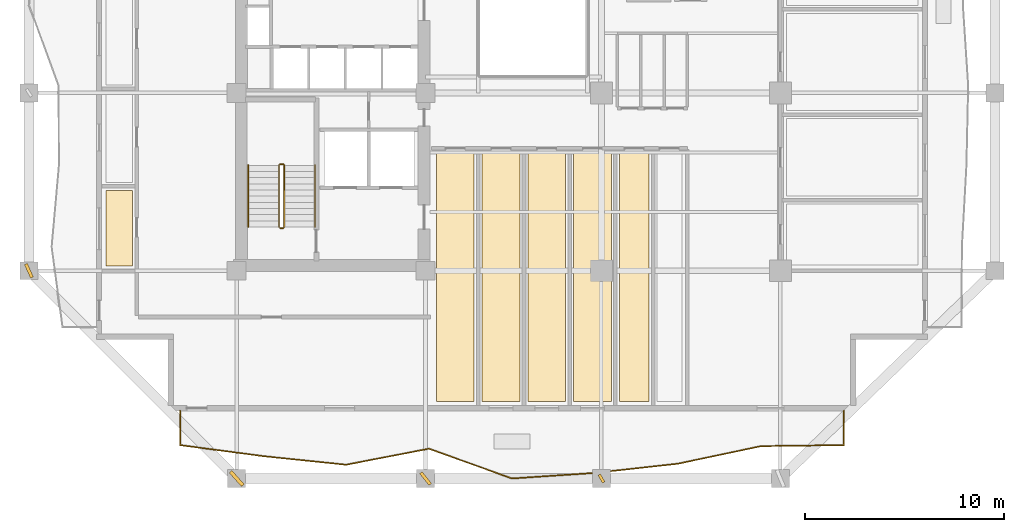
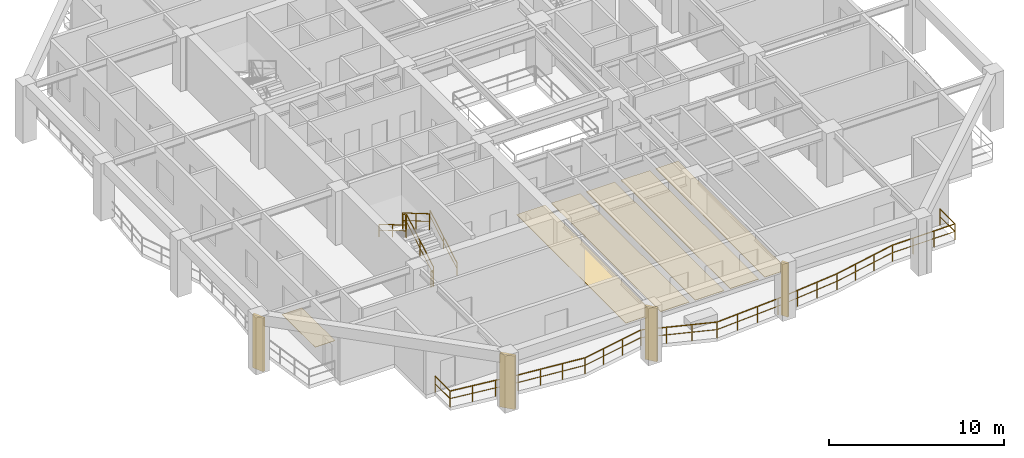
# One storey, part 7 of 11: 7 railings, 6 coverings, 4 shading devices.
"""IFC4 building model written with IfcOpenShell, lengths in metres."""

import ifcopenshell
import ifcopenshell.guid

model = None  # the IFC model being written
_history = None  # IfcOwnerHistory: only IFC2X3 demands one
_inside = {}  # id of a spatial element -> (the spatial element, [elements in it])
_under = {}  # id of a project, library or spatial element -> (it, [spatial elements below it])
_declared = {}  # id of a project -> (the project, [libraries it declares])
_typed = {}  # id of a type object -> (the type object, [elements of that type])
_made_of = {}  # id of a material, layer set ... -> (it, [elements and type objects made of it])


def new_model(schema):
    """Start an empty IFC model of exactly this schema.

    Asked for "IFC4X3", IfcOpenShell would pick the latest addendum, in which some entities
    have other attributes; the version numbers below select the first issue.
    IFC2X3 requires an IfcOwnerHistory on every rooted entity: one is made here for all.
    """
    global model, _history
    if schema == "IFC4X3":
        model = ifcopenshell.file(schema_version=(4, 3, 0, 0))
    else:
        model = ifcopenshell.file(schema=schema)
    _inside.clear()
    _under.clear()
    _declared.clear()
    _typed.clear()
    _made_of.clear()
    _history = None
    if model.schema == "IFC2X3":
        org = make("IfcOrganization", Name="unknown")
        user = make(
            "IfcPersonAndOrganization",
            ThePerson=make("IfcPerson", FamilyName="unknown"),
            TheOrganization=org,
        )
        app = make(
            "IfcApplication",
            ApplicationDeveloper=org,
            Version="unknown",
            ApplicationFullName="unknown",
            ApplicationIdentifier="unknown",
        )
        _history = make(
            "IfcOwnerHistory",
            OwningUser=user,
            OwningApplication=app,
            ChangeAction="ADDED",
            CreationDate=0,
        )
    return model


def make(cls, **values):
    """One entity of the class cls with the attributes given. An attribute that is None is left unset."""
    return model.create_entity(
        cls, **{name: value for name, value in values.items() if value is not None}
    )


def rooted(cls, **values):
    """An entity with a GlobalId (a new one), such as an element, a storey or a relation."""
    return make(cls, GlobalId=ifcopenshell.guid.new(), OwnerHistory=_history, **values)


def si_unit(unit_type, name, prefix=None):
    """IfcSIUnit, for example si_unit("LENGTHUNIT", "METRE", prefix="MILLI")."""
    return make("IfcSIUnit", UnitType=unit_type, Prefix=prefix, Name=name)


def assignment(units):
    """IfcUnitAssignment: the units of a project."""
    return None if units is None else make("IfcUnitAssignment", Units=units)


def point(xyz):
    """IfcCartesianPoint."""
    return None if xyz is None else make("IfcCartesianPoint", Coordinates=xyz)


def direction(xyz):
    """IfcDirection."""
    return None if xyz is None else make("IfcDirection", DirectionRatios=xyz)


def frame(location, z_axis=None, x_axis=None):
    """IfcAxis2Placement3D, a coordinate frame: its origin and axes. An axis left out is left unset."""
    return make(
        "IfcAxis2Placement3D",
        Location=point(location),
        Axis=direction(z_axis),
        RefDirection=direction(x_axis),
    )


def frame_2d(location, x_axis=None):
    """IfcAxis2Placement2D, a coordinate frame in the plane: its origin and x axis."""
    return make(
        "IfcAxis2Placement2D", Location=point(location), RefDirection=direction(x_axis)
    )


def origin():
    """The frame at (0, 0, 0) with its axes left unset."""
    return frame((0.0, 0.0, 0.0))


def origin_2d():
    """The frame at (0, 0) in the plane with its x axis left unset."""
    return frame_2d((0.0, 0.0))


def place(relative_to, where):
    """IfcLocalPlacement: puts the frame where relative to a parent placement (None: the world)."""
    return make(
        "IfcLocalPlacement", PlacementRelTo=relative_to, RelativePlacement=where
    )


def context(
    kind, dimensions, precision=None, world=None, true_north=None, identifier=None
):
    """IfcGeometricRepresentationContext, for example the 3D "Model" context."""
    return make(
        "IfcGeometricRepresentationContext",
        ContextIdentifier=identifier,
        ContextType=kind,
        CoordinateSpaceDimension=dimensions,
        Precision=precision,
        WorldCoordinateSystem=world,
        TrueNorth=true_north,
    )


def subcontext(parent, identifier, kind, view, scale=None):
    """IfcGeometricRepresentationSubContext, for example "Body" below "Model"."""
    return make(
        "IfcGeometricRepresentationSubContext",
        ContextIdentifier=identifier,
        ContextType=kind,
        ParentContext=parent,
        TargetScale=scale,
        TargetView=view,
    )


def project(units=None, contexts=None):
    """IfcProject with its units and contexts."""
    return rooted(
        "IfcProject",
        Name="project",
        RepresentationContexts=contexts,
        UnitsInContext=assignment(units),
    )


def spatial(cls, under=None, at=None, **own):
    """A site, building, storey or space (cls), placed at a placement, below another one or the project."""
    s = rooted(cls, ObjectPlacement=at, **own)
    if under is not None:
        _under.setdefault(under.id(), (under, []))[1].append(s)
    return s


def polyline(points):
    """IfcPolyline through the points."""
    return make("IfcPolyline", Points=[point(p) for p in points])


def profile(cls, at=None, kind="AREA", **sizes):
    """A parametric profile (cls). Its sizes go by their IFC names, for example OverallWidth=200.0."""
    return make(cls, ProfileType=kind, Position=at, **sizes)


def rectangle(**sizes):
    """IfcRectangleProfileDef."""
    return profile("IfcRectangleProfileDef", **sizes)


def outline(outer, holes=None, kind="AREA"):
    """IfcArbitraryClosedProfileDef: a profile drawn as a closed curve; with holes, ...WithVoids."""
    if holes is None:
        return make("IfcArbitraryClosedProfileDef", ProfileType=kind, OuterCurve=outer)
    return make(
        "IfcArbitraryProfileDefWithVoids",
        ProfileType=kind,
        OuterCurve=outer,
        InnerCurves=holes,
    )


def extrude(swept, where, along, depth):
    """IfcExtrudedAreaSolid: the profile swept, set in the frame where, extruded along a direction by depth."""
    return make(
        "IfcExtrudedAreaSolid",
        SweptArea=swept,
        Position=where,
        ExtrudedDirection=direction(along),
        Depth=depth,
    )


def shape(context_of_items, identifier, shape_type, items):
    """IfcShapeRepresentation: the items that make up one representation, for example the "Body"."""
    return make(
        "IfcShapeRepresentation",
        ContextOfItems=context_of_items,
        RepresentationIdentifier=identifier,
        RepresentationType=shape_type,
        Items=items,
    )


def material(Name=None, Category=None):
    """IfcMaterial."""
    return make("IfcMaterial", Name=Name, Category=Category)


def layer(
    of_material, thickness, ventilated=None, Name=None, Category=None, Priority=None
):
    """IfcMaterialLayer: one layer of a wall or slab, of a material (None: an air gap)."""
    return make(
        "IfcMaterialLayer",
        Material=of_material,
        LayerThickness=thickness,
        IsVentilated=ventilated,
        Name=Name,
        Category=Category,
        Priority=Priority,
    )


def layer_set(layers, Name=None):
    """IfcMaterialLayerSet."""
    return make("IfcMaterialLayerSet", MaterialLayers=layers, LayerSetName=Name)


def made_of(thing, what):
    """Note that an element or type object is made of a material, layer set ...; save() writes the relation."""
    if what is not None:
        _made_of.setdefault(what.id(), (what, []))[1].append(thing)
    return thing


def type_object(cls, material=None, **own):
    """A type object (cls), such as IfcWallType, which elements share."""
    return made_of(rooted(cls, **own), material)


def element(
    cls,
    number,
    at=None,
    inside=None,
    cuts=None,
    type_object=None,
    material=None,
    context=None,
    identifier="Body",
    shape_type=None,
    held_by="IfcProductDefinitionShape",
    body=None,
    shapes=None,
    **own,
):
    """One element of the class cls, such as IfcWall. Its Tag is "e" and its number.

    at: its placement. inside: the storey or other place that contains it. cuts: it is an
    opening in that element (IfcRelVoidsElement). A single representation is given by context,
    identifier, shape_type and body (its items); several are given by shapes. held_by: the class
    of the entity that holds the representations. save() writes the other relations.
    """
    e = rooted(cls, Tag="e%d" % number, ObjectPlacement=at, **own)
    if body is not None:
        shapes = [shape(context, identifier, shape_type, body)]
    if shapes is not None:
        e.Representation = make(held_by, Representations=shapes)
    if inside is not None:
        _inside.setdefault(inside.id(), (inside, []))[1].append(e)
    if cuts is not None:
        rooted(
            "IfcRelVoidsElement", RelatingBuildingElement=cuts, RelatedOpeningElement=e
        )
    if type_object is not None:
        _typed.setdefault(type_object.id(), (type_object, []))[1].append(e)
    return made_of(e, material)


def aggregate(whole, parts):
    """IfcRelAggregates: a whole, such as a stair, and the parts it consists of."""
    return rooted("IfcRelAggregates", RelatingObject=whole, RelatedObjects=parts)


def save(model, path):
    """Write the relations noted so far, then the file.

    IfcRelAggregates (storeys below a building ...), IfcRelContainedInSpatialStructure (elements
    in a storey), IfcRelDefinesByType, IfcRelAssociatesMaterial and IfcRelDeclares: one each for
    every whole, place, type object, material and project.
    """
    for whole, parts in _under.values():
        aggregate(whole, parts)
    for where, things in _inside.values():
        rooted(
            "IfcRelContainedInSpatialStructure",
            RelatedElements=things,
            RelatingStructure=where,
        )
    for kind, things in _typed.values():
        rooted("IfcRelDefinesByType", RelatedObjects=things, RelatingType=kind)
    for what, things in _made_of.values():
        rooted("IfcRelAssociatesMaterial", RelatedObjects=things, RelatingMaterial=what)
    for by, libraries in _declared.values():
        rooted("IfcRelDeclares", RelatingContext=by, RelatedDefinitions=libraries)
    model.write(path)


model = new_model("IFC4")

# Units and contexts
model_context = context("Model", 3, precision=1e-05, world=origin(), true_north=direction((0.0, 1.0)))
body_context = subcontext(model_context, "Body", "Model", "MODEL_VIEW")
ifc_project = project(units=[si_unit("LENGTHUNIT", "METRE"), si_unit("AREAUNIT", "SQUARE_METRE"), si_unit("VOLUMEUNIT", "CUBIC_METRE"), si_unit("PLANEANGLEUNIT", "RADIAN"), si_unit("MASSUNIT", "GRAM", prefix="KILO")], contexts=[model_context])

# Site, building, storey
site_placement = place(None, origin())
site = spatial("IfcSite", under=ifc_project, at=site_placement, CompositionType="ELEMENT")
building_placement = place(site_placement, origin())
building = spatial("IfcBuilding", under=site, at=building_placement, Name="Kundavana Baori Tower", CompositionType="ELEMENT")
storey_placement = place(building_placement, frame((0.0, 0.0, 82.0)))
storey = spatial("IfcBuildingStorey", under=building, at=storey_placement, Name="L19", CompositionType="ELEMENT", Elevation=82.0)

# Coverings
ifc_material_1 = material(Name="Honed Kota Stone and Terrazzo Flooring", Category="masonry")
ifc_layer = layer(ifc_material_1, 0.030029296875, Name="COV-INT-FLR")
ifc_layer_set = layer_set([ifc_layer], Name="Honed Kota Stone and Terrazzo Flooring")
covering_type = type_object("IfcCoveringType", Name="COV-INT-FLR", PredefinedType="FLOORING", material=ifc_layer_set)
covering_1_placement = place(storey_placement, origin())
element("IfcCovering", 1, at=covering_1_placement, inside=storey, type_object=covering_type, Name="L19 Room Finished Stone Flooring 1", PredefinedType="FLOORING", context=body_context, shape_type="SweptSolid", body=[
    extrude(outline(polyline([(8.8798828125, 15.5), (10.199951171875, 15.5), (10.199951171875, 19.300048828125), (8.8798828125, 19.300048828125), (8.8798828125, 15.5)])), origin(), (0.0, 0.0, 1.0), 0.030029296875),
])
covering_2_placement = place(storey_placement, origin())
element("IfcCovering", 2, at=covering_2_placement, inside=storey, type_object=covering_type, Name="L19 Room Finished Stone Flooring 7", PredefinedType="FLOORING", context=body_context, shape_type="SweptSolid", body=[
    extrude(outline(polyline([(25.5, 8.679931640625), (27.39990234375, 8.679931640625), (27.39990234375, 21.199951171875), (25.5, 21.199951171875), (25.5, 8.679931640625)])), origin(), (0.0, 0.0, 1.0), 0.030029296875),
])
covering_3_placement = place(storey_placement, origin())
element("IfcCovering", 3, at=covering_3_placement, inside=storey, type_object=covering_type, Name="L19 Room Finished Stone Flooring 8", PredefinedType="FLOORING", context=body_context, shape_type="SweptSolid", body=[
    extrude(outline(polyline([(27.800048828125, 8.679931640625), (29.699951171875, 8.679931640625), (29.699951171875, 21.199951171875), (27.800048828125, 21.199951171875), (27.800048828125, 8.679931640625)])), origin(), (0.0, 0.0, 1.0), 0.030029296875),
])
covering_4_placement = place(storey_placement, origin())
element("IfcCovering", 4, at=covering_4_placement, inside=storey, type_object=covering_type, Name="L19 Room Finished Stone Flooring 9", PredefinedType="FLOORING", context=body_context, shape_type="SweptSolid", body=[
    extrude(outline(polyline([(30.10009765625, 8.679931640625), (32.0, 8.679931640625), (32.0, 21.199951171875), (30.10009765625, 21.199951171875), (30.10009765625, 8.679931640625)])), origin(), (0.0, 0.0, 1.0), 0.030029296875),
])
covering_5_placement = place(storey_placement, origin())
element("IfcCovering", 5, at=covering_5_placement, inside=storey, type_object=covering_type, Name="L19 Room Finished Stone Flooring 10", PredefinedType="FLOORING", context=body_context, shape_type="SweptSolid", body=[
    extrude(outline(polyline([(32.39990234375, 8.679931640625), (34.300048828125, 8.679931640625), (34.300048828125, 21.199951171875), (32.39990234375, 21.199951171875), (32.39990234375, 8.679931640625)])), origin(), (0.0, 0.0, 1.0), 0.030029296875),
])
covering_6_placement = place(storey_placement, origin())
element("IfcCovering", 6, at=covering_6_placement, inside=storey, type_object=covering_type, Name="L19 Room Finished Stone Flooring 11", PredefinedType="FLOORING", context=body_context, shape_type="SweptSolid", body=[
    extrude(outline(polyline([(34.699951171875, 8.679931640625), (36.199951171875, 8.679931640625), (36.199951171875, 21.199951171875), (34.699951171875, 21.199951171875), (34.699951171875, 8.679931640625)])), origin(), (0.0, 0.0, 1.0), 0.030029296875),
])

# Railings
ifc_material_2 = material(Name="Architectural Patinated Bronze Metalwork")
railing_type_1 = type_object("IfcRailingType", Name="RL-BAL-1150", PredefinedType="BALUSTRADE", material=ifc_material_2)
railing_1_placement = place(storey_placement, frame((46.0, 8.199951171875, 0.0)))
element("IfcRailing", 7, at=railing_1_placement, inside=storey, type_object=railing_type_1, Name="L19 Loggia Balcony Balustrade S", PredefinedType="BALUSTRADE", context=body_context, shape_type="SweptSolid", body=[
    extrude(rectangle(XDim=0.048095703125, YDim=0.048095703125, at=origin_2d()), frame((0.0, 0.0, 1.1259765625), z_axis=(0.0, -1.0, 0.0), x_axis=(1.0, 0.0, 0.0)), (0.0, 0.0, 1.0), 1.719970703125),
    extrude(rectangle(XDim=0.03125, YDim=0.03125, at=origin_2d()), frame((0.0, 0.0, 0.597900390625), z_axis=(0.0, -1.0, 0.0), x_axis=(1.0, 0.0, 0.0)), (0.0, 0.0, 1.0), 1.719970703125),
    extrude(rectangle(XDim=0.048095703125, YDim=0.048095703125, at=origin_2d()), frame((0.0, -1.719970703125, 1.1259765625), z_axis=(-0.999919500346, -0.012688294929, 0.0), x_axis=(0.012688294929, -0.999919500346, 0.0)), (0.0, 0.0, 1.0), 4.17529296875),
    extrude(rectangle(XDim=0.03125, YDim=0.03125, at=origin_2d()), frame((0.0, -1.719970703125, 0.597900390625), z_axis=(-0.999919500346, -0.012688294929, 0.0), x_axis=(0.012688294929, -0.999919500346, 0.0)), (0.0, 0.0, 1.0), 4.17529296875),
    extrude(rectangle(XDim=0.048095703125, YDim=0.048095703125, at=origin_2d()), frame((-4.175048828125, -1.77294921875, 1.1259765625), z_axis=(-0.978355717396, -0.206930157875, 0.0), x_axis=(0.206930157875, -0.978355717396, 0.0)), (0.0, 0.0, 1.0), 4.267333984375),
    extrude(rectangle(XDim=0.03125, YDim=0.03125, at=origin_2d()), frame((-4.175048828125, -1.77294921875, 0.597900390625), z_axis=(-0.978355717396, -0.206930157875, 0.0), x_axis=(0.206930157875, -0.978355717396, 0.0)), (0.0, 0.0, 1.0), 4.267333984375),
    extrude(rectangle(XDim=0.048095703125, YDim=0.048095703125, at=origin_2d()), frame((-8.35009765625, -2.656005859375, 1.1259765625), z_axis=(-0.993934664973, -0.109972186323, 0.0), x_axis=(0.109972186323, -0.993934664973, 0.0)), (0.0, 0.0, 1.0), 4.2001953125),
    extrude(rectangle(XDim=0.03125, YDim=0.03125, at=origin_2d()), frame((-8.35009765625, -2.656005859375, 0.597900390625), z_axis=(-0.993934664973, -0.109972186323, 0.0), x_axis=(0.109972186323, -0.993934664973, 0.0)), (0.0, 0.0, 1.0), 4.2001953125),
    extrude(rectangle(XDim=0.048095703125, YDim=0.048095703125, at=origin_2d()), frame((-12.52490234375, -3.117919921875, 1.1259765625), z_axis=(-0.997726953945, -0.067386388621, 0.0), x_axis=(0.067386388621, -0.997726953945, 0.0)), (0.0, 0.0, 1.0), 4.1845703125),
    extrude(rectangle(XDim=0.03125, YDim=0.03125, at=origin_2d()), frame((-12.52490234375, -3.117919921875, 0.597900390625), z_axis=(-0.997726953945, -0.067386388621, 0.0), x_axis=(0.067386388621, -0.997726953945, 0.0)), (0.0, 0.0, 1.0), 4.1845703125),
    extrude(rectangle(XDim=0.048095703125, YDim=0.048095703125, at=origin_2d()), frame((-16.699951171875, -3.39990234375, 1.1259765625), z_axis=(-0.94124402708, 0.337727229411, 0.0), x_axis=(-0.337727229411, -0.94124402708, 0.0)), (0.0, 0.0, 1.0), 4.435791015625),
    extrude(rectangle(XDim=0.03125, YDim=0.03125, at=origin_2d()), frame((-16.699951171875, -3.39990234375, 0.597900390625), z_axis=(-0.94124402708, 0.337727229411, 0.0), x_axis=(-0.337727229411, -0.94124402708, 0.0)), (0.0, 0.0, 1.0), 4.435791015625),
    extrude(rectangle(XDim=0.048095703125, YDim=0.048095703125, at=origin_2d()), frame((-20.875, -1.90185546875, 1.1259765625), z_axis=(-0.981821289031, -0.189807682682, 0.0), x_axis=(0.189807682682, -0.981821289031, 0.0)), (0.0, 0.0, 1.0), 4.25244140625),
    extrude(rectangle(XDim=0.03125, YDim=0.03125, at=origin_2d()), frame((-20.875, -1.90185546875, 0.597900390625), z_axis=(-0.981821289031, -0.189807682682, 0.0), x_axis=(0.189807682682, -0.981821289031, 0.0)), (0.0, 0.0, 1.0), 4.25244140625),
    extrude(rectangle(XDim=0.048095703125, YDim=0.048095703125, at=origin_2d()), frame((-25.050048828125, -2.708984375, 1.1259765625), z_axis=(-0.994638493596, 0.103413089387, 0.0), x_axis=(-0.103413089387, -0.994638493596, 0.0)), (0.0, 0.0, 1.0), 4.197509765625),
    extrude(rectangle(XDim=0.03125, YDim=0.03125, at=origin_2d()), frame((-25.050048828125, -2.708984375, 0.597900390625), z_axis=(-0.994638493596, 0.103413089387, 0.0), x_axis=(-0.103413089387, -0.994638493596, 0.0)), (0.0, 0.0, 1.0), 4.197509765625),
    extrude(rectangle(XDim=0.048095703125, YDim=0.048095703125, at=origin_2d()), frame((-29.22509765625, -2.27490234375, 1.1259765625), z_axis=(-0.991280980438, 0.131765009856, 0.0), x_axis=(-0.131765009856, -0.991280980438, 0.0)), (0.0, 0.0, 1.0), 4.21142578125),
    extrude(rectangle(XDim=0.03125, YDim=0.03125, at=origin_2d()), frame((-29.22509765625, -2.27490234375, 0.597900390625), z_axis=(-0.991280980438, 0.131765009856, 0.0), x_axis=(-0.131765009856, -0.991280980438, 0.0)), (0.0, 0.0, 1.0), 4.21142578125),
    extrude(rectangle(XDim=0.048095703125, YDim=0.048095703125, at=origin_2d()), frame((-33.39990234375, -1.719970703125, 1.1259765625), z_axis=(0.0, 1.0, 0.0), x_axis=(-1.0, 0.0, 0.0)), (0.0, 0.0, 1.0), 1.719970703125),
    extrude(rectangle(XDim=0.03125, YDim=0.03125, at=origin_2d()), frame((-33.39990234375, -1.719970703125, 0.597900390625), z_axis=(0.0, 1.0, 0.0), x_axis=(-1.0, 0.0, 0.0)), (0.0, 0.0, 1.0), 1.719970703125),
    extrude(rectangle(XDim=0.0419921875, YDim=0.0419921875, at=origin_2d()), origin(), (0.0, 0.0, 1.0), 1.101806640625),
    extrude(rectangle(XDim=0.0419921875, YDim=0.0419921875, at=origin_2d()), frame((0.0, -1.719970703125, 0.0)), (0.0, 0.0, 1.0), 1.101806640625),
    extrude(rectangle(XDim=0.0419921875, YDim=0.0419921875, at=origin_2d()), frame((-1.3916015625, -1.737548828125, 0.0)), (0.0, 0.0, 1.0), 1.101806640625),
    extrude(rectangle(XDim=0.0419921875, YDim=0.0419921875, at=origin_2d()), frame((-2.783447265625, -1.75537109375, 0.0)), (0.0, 0.0, 1.0), 1.101806640625),
    extrude(rectangle(XDim=0.0419921875, YDim=0.0419921875, at=origin_2d()), frame((-4.175048828125, -1.77294921875, 0.0)), (0.0, 0.0, 1.0), 1.101806640625),
    extrude(rectangle(XDim=0.0419921875, YDim=0.0419921875, at=origin_2d()), frame((-5.566650390625, -2.0673828125, 0.0)), (0.0, 0.0, 1.0), 1.101806640625),
    extrude(rectangle(XDim=0.0419921875, YDim=0.0419921875, at=origin_2d()), frame((-6.95849609375, -2.361572265625, 0.0)), (0.0, 0.0, 1.0), 1.101806640625),
    extrude(rectangle(XDim=0.0419921875, YDim=0.0419921875, at=origin_2d()), frame((-8.35009765625, -2.656005859375, 0.0)), (0.0, 0.0, 1.0), 1.101806640625),
    extrude(rectangle(XDim=0.0419921875, YDim=0.0419921875, at=origin_2d()), frame((-9.74169921875, -2.81005859375, 0.0)), (0.0, 0.0, 1.0), 1.101806640625),
    extrude(rectangle(XDim=0.0419921875, YDim=0.0419921875, at=origin_2d()), frame((-11.13330078125, -2.9638671875, 0.0)), (0.0, 0.0, 1.0), 1.101806640625),
    extrude(rectangle(XDim=0.0419921875, YDim=0.0419921875, at=origin_2d()), frame((-12.52490234375, -3.117919921875, 0.0)), (0.0, 0.0, 1.0), 1.101806640625),
    extrude(rectangle(XDim=0.0419921875, YDim=0.0419921875, at=origin_2d()), frame((-13.91650390625, -3.2119140625, 0.0)), (0.0, 0.0, 1.0), 1.101806640625),
    extrude(rectangle(XDim=0.0419921875, YDim=0.0419921875, at=origin_2d()), frame((-15.308349609375, -3.305908203125, 0.0)), (0.0, 0.0, 1.0), 1.101806640625),
    extrude(rectangle(XDim=0.0419921875, YDim=0.0419921875, at=origin_2d()), frame((-16.699951171875, -3.39990234375, 0.0)), (0.0, 0.0, 1.0), 1.101806640625),
    extrude(rectangle(XDim=0.0419921875, YDim=0.0419921875, at=origin_2d()), frame((-18.091552734375, -2.900634765625, 0.0)), (0.0, 0.0, 1.0), 1.101806640625),
    extrude(rectangle(XDim=0.0419921875, YDim=0.0419921875, at=origin_2d()), frame((-19.4833984375, -2.401123046875, 0.0)), (0.0, 0.0, 1.0), 1.101806640625),
    extrude(rectangle(XDim=0.0419921875, YDim=0.0419921875, at=origin_2d()), frame((-20.875, -1.90185546875, 0.0)), (0.0, 0.0, 1.0), 1.101806640625),
    extrude(rectangle(XDim=0.0419921875, YDim=0.0419921875, at=origin_2d()), frame((-22.2666015625, -2.1708984375, 0.0)), (0.0, 0.0, 1.0), 1.101806640625),
    extrude(rectangle(XDim=0.0419921875, YDim=0.0419921875, at=origin_2d()), frame((-23.658447265625, -2.43994140625, 0.0)), (0.0, 0.0, 1.0), 1.101806640625),
    extrude(rectangle(XDim=0.0419921875, YDim=0.0419921875, at=origin_2d()), frame((-25.050048828125, -2.708984375, 0.0)), (0.0, 0.0, 1.0), 1.101806640625),
    extrude(rectangle(XDim=0.0419921875, YDim=0.0419921875, at=origin_2d()), frame((-26.441650390625, -2.564208984375, 0.0)), (0.0, 0.0, 1.0), 1.101806640625),
    extrude(rectangle(XDim=0.0419921875, YDim=0.0419921875, at=origin_2d()), frame((-27.83349609375, -2.419677734375, 0.0)), (0.0, 0.0, 1.0), 1.101806640625),
    extrude(rectangle(XDim=0.0419921875, YDim=0.0419921875, at=origin_2d()), frame((-29.22509765625, -2.27490234375, 0.0)), (0.0, 0.0, 1.0), 1.101806640625),
    extrude(rectangle(XDim=0.0419921875, YDim=0.0419921875, at=origin_2d()), frame((-30.61669921875, -2.08984375, 0.0)), (0.0, 0.0, 1.0), 1.101806640625),
    extrude(rectangle(XDim=0.0419921875, YDim=0.0419921875, at=origin_2d()), frame((-32.00830078125, -1.905029296875, 0.0)), (0.0, 0.0, 1.0), 1.101806640625),
    extrude(rectangle(XDim=0.0419921875, YDim=0.0419921875, at=origin_2d()), frame((-33.39990234375, -1.719970703125, 0.0)), (0.0, 0.0, 1.0), 1.101806640625),
    extrude(rectangle(XDim=0.0419921875, YDim=0.0419921875, at=origin_2d()), frame((-33.39990234375, 0.0, 0.0)), (0.0, 0.0, 1.0), 1.101806640625),
])
ifc_material_3 = material(Name="Architectural Patinated Bronze Metalwork")
railing_type_2 = type_object("IfcRailingType", Name="RL-GRD-1150", PredefinedType="GUARDRAIL", material=ifc_material_3)
railing_2_placement = place(storey_placement, frame((17.840087890625, 17.449951171875, 0.181884765625)))
element("IfcRailing", 8, at=railing_2_placement, inside=storey, type_object=railing_type_2, Name="L19 ST1 stair guard 1", PredefinedType="GUARDRAIL", context=body_context, shape_type="SweptSolid", body=[
    extrude(rectangle(XDim=0.048095703125, YDim=0.048095703125, at=origin_2d()), frame((0.0, 0.0, 1.1259765625), z_axis=(0.0, 0.862598821094, 0.505888598258), x_axis=(-1.0, 0.0, 0.0)), (0.0, 0.0, 1.0), 3.593994140625),
    extrude(rectangle(XDim=0.03125, YDim=0.03125, at=origin_2d()), frame((0.0, 0.0, 0.597900390625), z_axis=(0.0, 0.862598821094, 0.505888598258), x_axis=(-1.0, 0.0, 0.0)), (0.0, 0.0, 1.0), 3.593994140625),
    extrude(rectangle(XDim=0.0419921875, YDim=0.0419921875, at=origin_2d()), origin(), (0.0, 0.0, 1.0), 1.101806640625),
    extrude(rectangle(XDim=0.0419921875, YDim=0.0419921875, at=origin_2d()), frame((0.0, 1.550048828125, 0.9091796875)), (0.0, 0.0, 1.0), 1.101806640625),
    extrude(rectangle(XDim=0.0419921875, YDim=0.0419921875, at=origin_2d()), frame((0.0, 3.10009765625, 1.818115234375)), (0.0, 0.0, 1.0), 1.101806640625),
])
railing_3_placement = place(storey_placement, frame((17.7900390625, 20.60009765625, 2.0)))
element("IfcRailing", 9, at=railing_3_placement, inside=storey, type_object=railing_type_2, Name="L19 ST1 stair guard 2", PredefinedType="GUARDRAIL", context=body_context, shape_type="SweptSolid", body=[
    extrude(rectangle(XDim=0.048095703125, YDim=0.048095703125, at=origin_2d()), frame((0.0, 0.0, 1.1259765625), z_axis=(-1.0, 0.0, 0.0), x_axis=(0.0, -1.0, 0.0)), (0.0, 0.0, 1.0), 0.16015625),
    extrude(rectangle(XDim=0.03125, YDim=0.03125, at=origin_2d()), frame((0.0, 0.0, 0.597900390625), z_axis=(-1.0, 0.0, 0.0), x_axis=(0.0, -1.0, 0.0)), (0.0, 0.0, 1.0), 0.16015625),
    extrude(rectangle(XDim=0.0419921875, YDim=0.0419921875, at=origin_2d()), origin(), (0.0, 0.0, 1.0), 1.101806640625),
    extrude(rectangle(XDim=0.0419921875, YDim=0.0419921875, at=origin_2d()), frame((-0.16015625, 0.0, 0.0)), (0.0, 0.0, 1.0), 1.101806640625),
])
railing_4_placement = place(storey_placement, frame((17.580078125, 20.550048828125, 2.181884765625)))
element("IfcRailing", 10, at=railing_4_placement, inside=storey, type_object=railing_type_2, Name="L19 ST1 stair guard 3", PredefinedType="GUARDRAIL", context=body_context, shape_type="SweptSolid", body=[
    extrude(rectangle(XDim=0.048095703125, YDim=0.048095703125, at=origin_2d()), frame((0.0, 0.0, 1.1259765625), z_axis=(0.0, -0.862598821094, 0.505888598258), x_axis=(1.0, 0.0, 0.0)), (0.0, 0.0, 1.0), 3.593994140625),
    extrude(rectangle(XDim=0.03125, YDim=0.03125, at=origin_2d()), frame((0.0, 0.0, 0.597900390625), z_axis=(0.0, -0.862598821094, 0.505888598258), x_axis=(1.0, 0.0, 0.0)), (0.0, 0.0, 1.0), 3.593994140625),
    extrude(rectangle(XDim=0.0419921875, YDim=0.0419921875, at=origin_2d()), origin(), (0.0, 0.0, 1.0), 1.101806640625),
    extrude(rectangle(XDim=0.0419921875, YDim=0.0419921875, at=origin_2d()), frame((0.0, -1.550048828125, 0.9091796875)), (0.0, 0.0, 1.0), 1.101806640625),
    extrude(rectangle(XDim=0.0419921875, YDim=0.0419921875, at=origin_2d()), frame((0.0, -3.10009765625, 1.818115234375)), (0.0, 0.0, 1.0), 1.101806640625),
])
railing_5_placement = place(storey_placement, frame((17.7900390625, 17.39990234375, 0.0)))
element("IfcRailing", 11, at=railing_5_placement, inside=storey, type_object=railing_type_2, Name="L19 ST1 stair guard 4", PredefinedType="GUARDRAIL", context=body_context, shape_type="SweptSolid", body=[
    extrude(rectangle(XDim=0.048095703125, YDim=0.048095703125, at=origin_2d()), frame((0.0, 0.0, 1.1259765625), z_axis=(-1.0, 0.0, 0.0), x_axis=(0.0, -1.0, 0.0)), (0.0, 0.0, 1.0), 0.16015625),
    extrude(rectangle(XDim=0.03125, YDim=0.03125, at=origin_2d()), frame((0.0, 0.0, 0.597900390625), z_axis=(-1.0, 0.0, 0.0), x_axis=(0.0, -1.0, 0.0)), (0.0, 0.0, 1.0), 0.16015625),
    extrude(rectangle(XDim=0.0419921875, YDim=0.0419921875, at=origin_2d()), origin(), (0.0, 0.0, 1.0), 1.101806640625),
    extrude(rectangle(XDim=0.0419921875, YDim=0.0419921875, at=origin_2d()), frame((-0.16015625, 0.0, 0.0)), (0.0, 0.0, 1.0), 1.101806640625),
])
ifc_material_4 = material(Name="Architectural Patinated Bronze Metalwork")
railing_type_3 = type_object("IfcRailingType", Name="RL-HND-920", PredefinedType="HANDRAIL", material=ifc_material_4)
railing_6_placement = place(storey_placement, frame((19.389892578125, 17.449951171875, 0.181884765625)))
element("IfcRailing", 12, at=railing_6_placement, inside=storey, type_object=railing_type_3, Name="L19 ST1 stair handrail 1", PredefinedType="HANDRAIL", context=body_context, shape_type="SweptSolid", body=[
    extrude(rectangle(XDim=0.048095703125, YDim=0.048095703125, at=origin_2d()), frame((0.0, 0.0, 0.8759765625), z_axis=(0.0, 0.862598821094, 0.505888598258), x_axis=(-1.0, 0.0, 0.0)), (0.0, 0.0, 1.0), 3.593994140625),
    extrude(rectangle(XDim=0.03125, YDim=0.03125, at=origin_2d()), frame((0.0, 0.0, 0.468017578125), z_axis=(0.0, 0.862598821094, 0.505888598258), x_axis=(-1.0, 0.0, 0.0)), (0.0, 0.0, 1.0), 3.593994140625),
    extrude(rectangle(XDim=0.0419921875, YDim=0.0419921875, at=origin_2d()), origin(), (0.0, 0.0, 1.0), 0.851806640625),
    extrude(rectangle(XDim=0.0419921875, YDim=0.0419921875, at=origin_2d()), frame((0.0, 1.550048828125, 0.9091796875)), (0.0, 0.0, 1.0), 0.851806640625),
    extrude(rectangle(XDim=0.0419921875, YDim=0.0419921875, at=origin_2d()), frame((0.0, 3.10009765625, 1.818115234375)), (0.0, 0.0, 1.0), 0.851806640625),
])
railing_7_placement = place(storey_placement, frame((16.030029296875, 20.550048828125, 2.181884765625)))
element("IfcRailing", 13, at=railing_7_placement, inside=storey, type_object=railing_type_3, Name="L19 ST1 stair handrail 2", PredefinedType="HANDRAIL", context=body_context, shape_type="SweptSolid", body=[
    extrude(rectangle(XDim=0.048095703125, YDim=0.048095703125, at=origin_2d()), frame((0.0, 0.0, 0.8759765625), z_axis=(0.0, -0.862598821094, 0.505888598258), x_axis=(1.0, 0.0, 0.0)), (0.0, 0.0, 1.0), 3.593994140625),
    extrude(rectangle(XDim=0.03125, YDim=0.03125, at=origin_2d()), frame((0.0, 0.0, 0.468017578125), z_axis=(0.0, -0.862598821094, 0.505888598258), x_axis=(1.0, 0.0, 0.0)), (0.0, 0.0, 1.0), 3.593994140625),
    extrude(rectangle(XDim=0.0419921875, YDim=0.0419921875, at=origin_2d()), origin(), (0.0, 0.0, 1.0), 0.851806640625),
    extrude(rectangle(XDim=0.0419921875, YDim=0.0419921875, at=origin_2d()), frame((0.0, -1.550048828125, 0.9091796875)), (0.0, 0.0, 1.0), 0.851806640625),
    extrude(rectangle(XDim=0.0419921875, YDim=0.0419921875, at=origin_2d()), frame((0.0, -3.10009765625, 1.818115234375)), (0.0, 0.0, 1.0), 0.851806640625),
])

# Shading devices
ifc_material_5 = material(Name="Red-Buff Dholpur Sandstone Cladding on Concrete C40/50", Category="masonry")
shading_device_type_1 = type_object("IfcShadingDeviceType", Name="SHD-FIN-750", PredefinedType="JALOUSIE", material=ifc_material_5)
for number, where, z_axis, x_axis, name in (
    (14, (24.949951171875, 4.800048828125, 0.0), (0.0, 0.0, 1.0), (0.777145961457, 0.62932039105, 0.0), "L19 Sweeping Dholpur Sandstone Facade Fin 2"),
    (15, (5.0, 15.25, 0.0), (0.0, 0.0, 1.0), (0.913047853423, 0.407852445573, 0.0), "L19 Sweeping Dholpur Sandstone Facade Fin 5"),
):
    element("IfcShadingDevice", number, at=place(storey_placement, frame(where, z_axis=z_axis, x_axis=x_axis)), inside=storey, type_object=shading_device_type_1, Name=name, PredefinedType="JALOUSIE", context=body_context, shape_type="SweptSolid", body=[
        extrude(rectangle(XDim=0.159912109375, YDim=0.75, at=origin_2d()), origin(), (0.0, 0.0, 1.0), 3.739990234375),
    ])
ifc_material_6 = material(Name="Red-Buff Dholpur Sandstone Cladding on Concrete C40/50", Category="masonry")
shading_device_type_2 = type_object("IfcShadingDeviceType", Name="SHD-FIN-920", PredefinedType="JALOUSIE", material=ifc_material_6)
shading_device_1_placement = place(storey_placement, frame((15.449951171875, 4.800048828125, 0.0), z_axis=(0.0, 0.0, 1.0), x_axis=(0.74559232019, 0.666402349991, 0.0)))
element("IfcShadingDevice", 16, at=shading_device_1_placement, inside=storey, type_object=shading_device_type_2, Name="L19 Sweeping Dholpur Sandstone Facade Fin 1", PredefinedType="JALOUSIE", context=body_context, shape_type="SweptSolid", body=[
    extrude(rectangle(XDim=0.179931640625, YDim=0.919921875, at=origin_2d()), origin(), (0.0, 0.0, 1.0), 3.739990234375),
])
ifc_material_7 = material(Name="Architectural Patinated Bronze Metalwork")
shading_device_type_3 = type_object("IfcShadingDeviceType", Name="SHD-LOUV-450", PredefinedType="SHUTTER", material=ifc_material_7)
shading_device_2_placement = place(storey_placement, frame((33.800048828125, 4.800048828125, 0.0), z_axis=(0.0, 0.0, 1.0), x_axis=(0.868025549363, 0.496519531995, 0.0)))
element("IfcShadingDevice", 17, at=shading_device_2_placement, inside=storey, type_object=shading_device_type_3, Name="L19 Sweeping Dholpur Sandstone Facade Fin 3", PredefinedType="SHUTTER", context=body_context, shape_type="SweptSolid", body=[
    extrude(rectangle(XDim=0.139892578125, YDim=0.449951171875, at=origin_2d()), origin(), (0.0, 0.0, 1.0), 3.739990234375),
])

save(model, "model.ifc")
